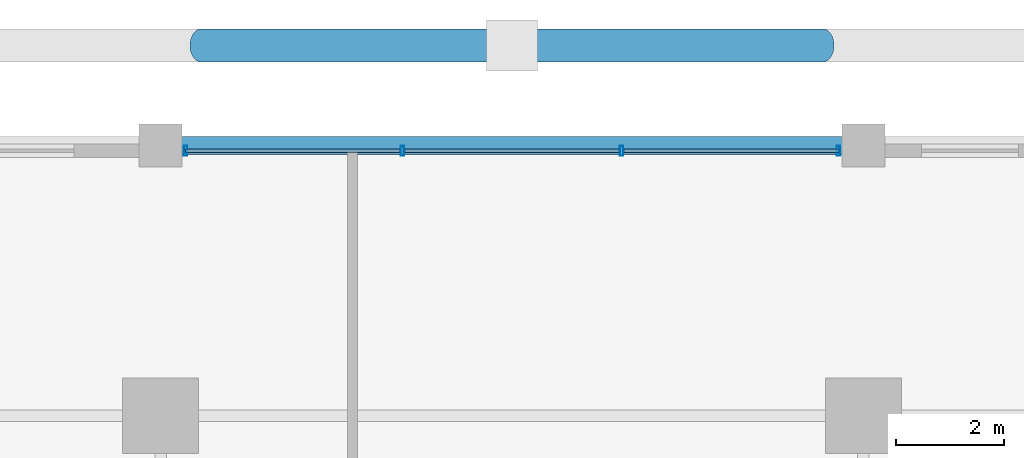
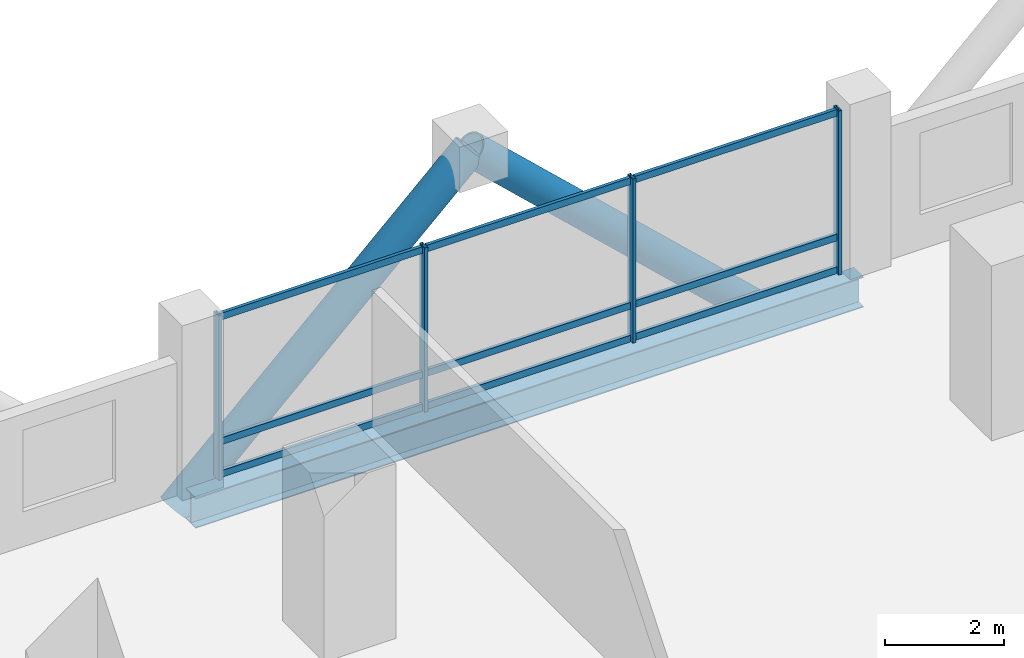
# One storey, part 13 of 21: 15 members, 1 beam, 1 element without a shape of its own.
"""IFC4 building model written with IfcOpenShell, lengths in metres."""

from ifc_helpers import new_model, si_unit, direction, frame, origin, origin_2d, place, context, subcontext, project, spatial, hollow_rectangle, hollow_circle, i_section, extrude, material, layer, layer_set, material_profile, profile_set, type_object, element, aggregate, save


model = new_model("IFC4")

# Units and contexts
model_context = context("Model", 3, precision=1e-05, world=origin(), true_north=direction((0.0, 1.0)))
body_context = subcontext(model_context, "Body", "Model", "MODEL_VIEW")
ifc_project = project(units=[si_unit("LENGTHUNIT", "METRE"), si_unit("AREAUNIT", "SQUARE_METRE"), si_unit("VOLUMEUNIT", "CUBIC_METRE"), si_unit("PLANEANGLEUNIT", "RADIAN"), si_unit("MASSUNIT", "GRAM", prefix="KILO")], contexts=[model_context])

# Site, building, storey
site_placement = place(None, origin())
site = spatial("IfcSite", under=ifc_project, at=site_placement, CompositionType="ELEMENT")
building_placement = place(site_placement, origin())
building = spatial("IfcBuilding", under=site, at=building_placement, Name="Barlavira Tower and Art Museum", CompositionType="ELEMENT")
storey_placement = place(building_placement, frame((0.0, 0.0, 79.199951171875)))
storey = spatial("IfcBuildingStorey", under=building, at=storey_placement, Name="L19", CompositionType="ELEMENT", Elevation=79.199951171875)

# Curtain wall, members
ifc_material_1 = material(Name="Low-iron coastal laminated glass", Category="glass")
ifc_layer = layer(ifc_material_1, 0.179931640625, Name="Low-iron coastal laminated glass")
ifc_layer_set = layer_set([ifc_layer], Name="Low-iron coastal laminated glass")
curtain_wall_type = type_object("IfcCurtainWallType", Name="Pale-Metal Unitised Curtain Wall Zone 1", PredefinedType="NOTDEFINED", material=ifc_layer_set)
curtain_wall_placement = place(storey_placement, origin())
curtain_wall = element("IfcCurtainWall", 1, at=curtain_wall_placement, inside=storey, type_object=curtain_wall_type, Name="L19 Curtain Wall CW1-L19-N-B3", PredefinedType="NOTDEFINED")
ifc_material_2 = material(Name="Pale anodised aluminium", Category="aluminium")
ifc_material_profile_1 = material_profile(ifc_material_2, hollow_rectangle(XDim=0.06494140625, YDim=0.179931640625, WallThickness=0.00390625, at=origin_2d()), Name="ALU-MULL 65x180x4")
ifc_profile_set_1 = profile_set([ifc_material_profile_1], Name="Pale anodised aluminium")
member_type_1 = type_object("IfcMemberType", Name="Curtain Wall Pale-Metal Mullion 65x180", PredefinedType="MULLION", material=ifc_profile_set_1)
member_1_placement = place(storey_placement, frame((6.034912109375, 24.89990234375, 0.0), z_axis=(0.0, 0.0, 1.0), x_axis=(-1.0, 0.0, 0.0)))
member_1 = element("IfcMember", 2, at=member_1_placement, type_object=member_type_1, Name="CW1-L19-N-B3 Mullion 0", PredefinedType="MULLION", context=body_context, shape_type="SweptSolid", body=[
    extrude(hollow_rectangle(XDim=0.06494140625, YDim=0.179931640625, WallThickness=0.00390625, at=origin_2d()), origin(), (0.0, 0.0, 1.0), 3.380126953125),
])
member_2_placement = place(storey_placement, frame((2.026611328125, 24.89990234375, 0.0), z_axis=(0.0, 0.0, 1.0), x_axis=(-1.0, 0.0, 0.0)))
member_2 = element("IfcMember", 3, at=member_2_placement, type_object=member_type_1, Name="CW1-L19-N-B3 Mullion 1", PredefinedType="MULLION", context=body_context, shape_type="SweptSolid", body=[
    extrude(hollow_rectangle(XDim=0.06494140625, YDim=0.179931640625, WallThickness=0.00390625, at=origin_2d()), origin(), (0.0, 0.0, 1.0), 3.380126953125),
])
member_3_placement = place(storey_placement, frame((-2.026611328125, 24.89990234375, 0.0), z_axis=(0.0, 0.0, 1.0), x_axis=(-1.0, 0.0, 0.0)))
member_3 = element("IfcMember", 4, at=member_3_placement, type_object=member_type_1, Name="CW1-L19-N-B3 Mullion 2", PredefinedType="MULLION", context=body_context, shape_type="SweptSolid", body=[
    extrude(hollow_rectangle(XDim=0.06494140625, YDim=0.179931640625, WallThickness=0.00390625, at=origin_2d()), origin(), (0.0, 0.0, 1.0), 3.380126953125),
])
member_4_placement = place(storey_placement, frame((-6.034912109375, 24.89990234375, 0.0), z_axis=(0.0, 0.0, 1.0), x_axis=(-1.0, 0.0, 0.0)))
member_4 = element("IfcMember", 5, at=member_4_placement, type_object=member_type_1, Name="CW1-L19-N-B3 Mullion 3", PredefinedType="MULLION", context=body_context, shape_type="SweptSolid", body=[
    extrude(hollow_rectangle(XDim=0.06494140625, YDim=0.179931640625, WallThickness=0.00390625, at=origin_2d()), origin(), (0.0, 0.0, 1.0), 3.380126953125),
])
ifc_material_profile_2 = material_profile(ifc_material_2, hollow_rectangle(XDim=0.06494140625, YDim=0.139892578125, WallThickness=0.00390625, at=origin_2d()), Name="ALU-TRAN 65x140x4")
ifc_profile_set_2 = profile_set([ifc_material_profile_2], Name="Pale anodised aluminium")
member_type_2 = type_object("IfcMemberType", Name="Curtain Wall Pale-Metal Transom 65x140", PredefinedType="USERDEFINED", material=ifc_profile_set_2)
member_5_placement = place(storey_placement, frame((6.034912109375, 24.89990234375, 0.070068359375), z_axis=(-1.0, 0.0, 0.0), x_axis=(0.0, -1.0, 0.0)))
member_5 = element("IfcMember", 6, at=member_5_placement, type_object=member_type_2, Name="CW1-L19-N-B3 Transom 0.1", ObjectType="TRANSOM", PredefinedType="USERDEFINED", context=body_context, shape_type="SweptSolid", body=[
    extrude(hollow_rectangle(XDim=0.06494140625, YDim=0.139892578125, WallThickness=0.00390625, at=origin_2d()), origin(), (0.0, 0.0, 1.0), 3.963134765625),
])
member_6_placement = place(storey_placement, frame((6.034912109375, 24.89990234375, 0.744140625), z_axis=(-1.0, 0.0, 0.0), x_axis=(0.0, -1.0, 0.0)))
member_6 = element("IfcMember", 7, at=member_6_placement, type_object=member_type_2, Name="CW1-L19-N-B3 Transom 0.2", ObjectType="TRANSOM", PredefinedType="USERDEFINED", context=body_context, shape_type="SweptSolid", body=[
    extrude(hollow_rectangle(XDim=0.06494140625, YDim=0.139892578125, WallThickness=0.00390625, at=origin_2d()), origin(), (0.0, 0.0, 1.0), 3.963134765625),
])
member_7_placement = place(storey_placement, frame((6.034912109375, 24.89990234375, 3.31005859375), z_axis=(-1.0, 0.0, 0.0), x_axis=(0.0, -1.0, 0.0)))
member_7 = element("IfcMember", 8, at=member_7_placement, type_object=member_type_2, Name="CW1-L19-N-B3 Transom 0.3", ObjectType="TRANSOM", PredefinedType="USERDEFINED", context=body_context, shape_type="SweptSolid", body=[
    extrude(hollow_rectangle(XDim=0.06494140625, YDim=0.139892578125, WallThickness=0.00390625, at=origin_2d()), origin(), (0.0, 0.0, 1.0), 3.963134765625),
])
member_8_placement = place(storey_placement, frame((1.981689453125, 24.89990234375, 0.070068359375), z_axis=(-1.0, 0.0, 0.0), x_axis=(0.0, -1.0, 0.0)))
member_8 = element("IfcMember", 9, at=member_8_placement, type_object=member_type_2, Name="CW1-L19-N-B3 Transom 1.1", ObjectType="TRANSOM", PredefinedType="USERDEFINED", context=body_context, shape_type="SweptSolid", body=[
    extrude(hollow_rectangle(XDim=0.06494140625, YDim=0.139892578125, WallThickness=0.00390625, at=origin_2d()), origin(), (0.0, 0.0, 1.0), 3.96337890625),
])
member_9_placement = place(storey_placement, frame((1.981689453125, 24.89990234375, 0.744140625), z_axis=(-1.0, 0.0, 0.0), x_axis=(0.0, -1.0, 0.0)))
member_9 = element("IfcMember", 10, at=member_9_placement, type_object=member_type_2, Name="CW1-L19-N-B3 Transom 1.2", ObjectType="TRANSOM", PredefinedType="USERDEFINED", context=body_context, shape_type="SweptSolid", body=[
    extrude(hollow_rectangle(XDim=0.06494140625, YDim=0.139892578125, WallThickness=0.00390625, at=origin_2d()), origin(), (0.0, 0.0, 1.0), 3.96337890625),
])
member_10_placement = place(storey_placement, frame((1.981689453125, 24.89990234375, 3.31005859375), z_axis=(-1.0, 0.0, 0.0), x_axis=(0.0, -1.0, 0.0)))
member_10 = element("IfcMember", 11, at=member_10_placement, type_object=member_type_2, Name="CW1-L19-N-B3 Transom 1.3", ObjectType="TRANSOM", PredefinedType="USERDEFINED", context=body_context, shape_type="SweptSolid", body=[
    extrude(hollow_rectangle(XDim=0.06494140625, YDim=0.139892578125, WallThickness=0.00390625, at=origin_2d()), origin(), (0.0, 0.0, 1.0), 3.96337890625),
])
member_11_placement = place(storey_placement, frame((-2.07177734375, 24.89990234375, 0.070068359375), z_axis=(-1.0, 0.0, 0.0), x_axis=(0.0, -1.0, 0.0)))
member_11 = element("IfcMember", 12, at=member_11_placement, type_object=member_type_2, Name="CW1-L19-N-B3 Transom 2.1", ObjectType="TRANSOM", PredefinedType="USERDEFINED", context=body_context, shape_type="SweptSolid", body=[
    extrude(hollow_rectangle(XDim=0.06494140625, YDim=0.139892578125, WallThickness=0.00390625, at=origin_2d()), origin(), (0.0, 0.0, 1.0), 3.963134765625),
])
member_12_placement = place(storey_placement, frame((-2.07177734375, 24.89990234375, 0.744140625), z_axis=(-1.0, 0.0, 0.0), x_axis=(0.0, -1.0, 0.0)))
member_12 = element("IfcMember", 13, at=member_12_placement, type_object=member_type_2, Name="CW1-L19-N-B3 Transom 2.2", ObjectType="TRANSOM", PredefinedType="USERDEFINED", context=body_context, shape_type="SweptSolid", body=[
    extrude(hollow_rectangle(XDim=0.06494140625, YDim=0.139892578125, WallThickness=0.00390625, at=origin_2d()), origin(), (0.0, 0.0, 1.0), 3.963134765625),
])
member_13_placement = place(storey_placement, frame((-2.07177734375, 24.89990234375, 3.31005859375), z_axis=(-1.0, 0.0, 0.0), x_axis=(0.0, -1.0, 0.0)))
member_13 = element("IfcMember", 14, at=member_13_placement, type_object=member_type_2, Name="CW1-L19-N-B3 Transom 2.3", ObjectType="TRANSOM", PredefinedType="USERDEFINED", context=body_context, shape_type="SweptSolid", body=[
    extrude(hollow_rectangle(XDim=0.06494140625, YDim=0.139892578125, WallThickness=0.00390625, at=origin_2d()), origin(), (0.0, 0.0, 1.0), 3.963134765625),
])
aggregate(curtain_wall, [member_1, member_2, member_3, member_4, member_5, member_6, member_7, member_8, member_9, member_10, member_11, member_12, member_13])

# Members
ifc_material_3 = material(Name="Steel S355", Category="steel")
ifc_material_profile_3 = material_profile(ifc_material_3, hollow_circle(Radius=0.304931640625, WallThickness=0.028076171875, at=origin_2d()), Name="CHS 610.0x28.0")
ifc_profile_set_3 = profile_set([ifc_material_profile_3], Name="Steel S355")
member_type_3 = type_object("IfcMemberType", Name="Pale-Metal Exoskeleton Diagrid Tube CHS 610x28 Steel S355", PredefinedType="BRACE", material=ifc_profile_set_3)
for number, where, z_axis, x_axis, name in (
    (15, (-5.75, 26.85009765625, -1.919921875), (0.728950095515, 0.0, 0.684566839869), (0.0, 1.0, 0.0), "L19 Exoskeleton Diagrid Tube N"),
    (16, (5.75, 26.85009765625, -1.919921875), (-0.728950095515, 0.0, 0.684566839869), (0.0, -1.0, 0.0), "L19 Exoskeleton Diagrid Tube N"),
):
    element("IfcMember", number, at=place(storey_placement, frame(where, z_axis=z_axis, x_axis=x_axis)), inside=storey, type_object=member_type_3, Name=name, PredefinedType="BRACE", context=body_context, shape_type="SweptSolid", body=[
        extrude(hollow_circle(Radius=0.304931640625, WallThickness=0.028076171875, at=origin_2d()), origin(), (0.0, 0.0, 1.0), 7.887939453125),
    ])

# Beam
ifc_material_profile_4 = material_profile(ifc_material_3, i_section(OverallWidth=0.327880859375, OverallDepth=0.62890625, WebThickness=0.013916015625, FlangeThickness=0.021484375, at=origin_2d()), Name="W610x174.0")
ifc_profile_set_4 = profile_set([ifc_material_profile_4], Name="Steel S355")
beam_type = type_object("IfcBeamType", Name="Perimeter Spandrel Edge Beam W610x174 Steel S355", PredefinedType="SPANDREL", material=ifc_profile_set_4)
beam_placement = place(storey_placement, frame((-6.5, 25.0, -0.534423828125), z_axis=(1.0, 0.0, 0.0), x_axis=(0.0, 1.0, 0.0)))
element("IfcBeam", 17, at=beam_placement, inside=storey, type_object=beam_type, Name="L19 Spandrel 10", PredefinedType="SPANDREL", context=body_context, shape_type="SweptSolid", body=[
    extrude(i_section(OverallWidth=0.327880859375, OverallDepth=0.62890625, WebThickness=0.013916015625, FlangeThickness=0.021484375, at=origin_2d()), origin(), (0.0, 0.0, 1.0), 13.0),
])

save(model, "model.ifc")
